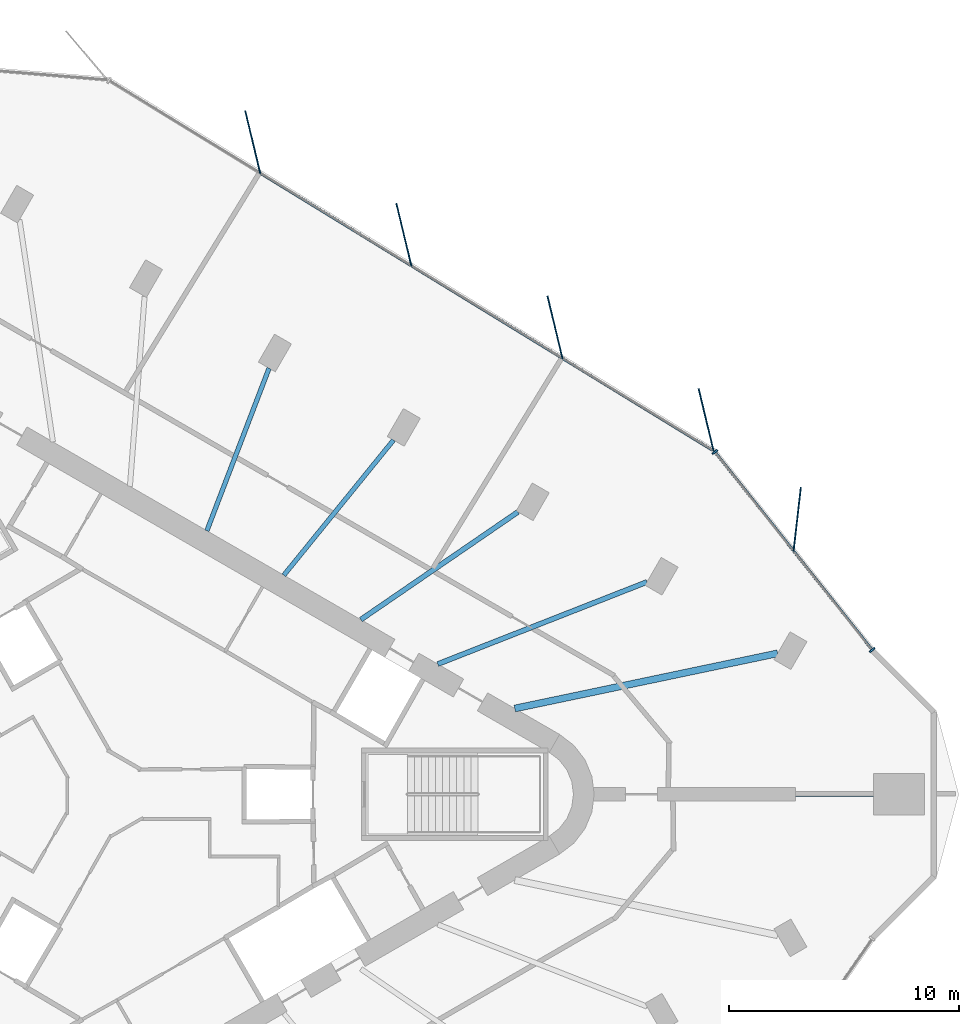
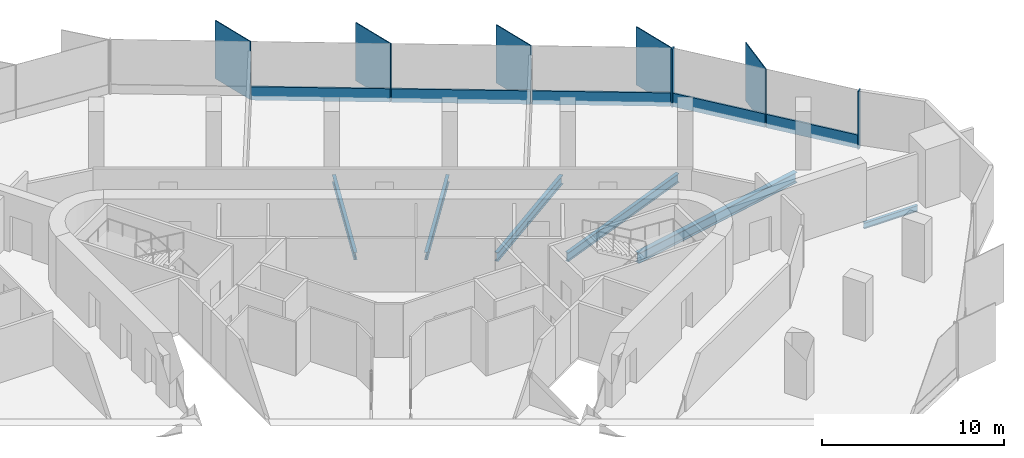
# One storey, part 5 of 13: 12 members, 6 beams, 2 elements without a shape of their own.
"""IFC4 building model written with IfcOpenShell, lengths in metres."""

from ifc_helpers import new_model, si_unit, direction, frame, origin, origin_2d, place, context, subcontext, project, spatial, rectangle, i_section, extrude, material, material_profile, profile_set, type_object, element, aggregate, save


model = new_model("IFC4")

# Units and contexts
model_context = context("Model", 3, precision=1e-05, world=origin(), true_north=direction((0.0, 1.0)))
body_context = subcontext(model_context, "Body", "Model", "MODEL_VIEW")
ifc_project = project(units=[si_unit("LENGTHUNIT", "METRE"), si_unit("AREAUNIT", "SQUARE_METRE"), si_unit("VOLUMEUNIT", "CUBIC_METRE"), si_unit("PLANEANGLEUNIT", "RADIAN"), si_unit("MASSUNIT", "GRAM", prefix="KILO")], contexts=[model_context])

# Site, building, storey
site_placement = place(None, origin())
site = spatial("IfcSite", under=ifc_project, at=site_placement, CompositionType="ELEMENT")
building_placement = place(site_placement, origin())
building = spatial("IfcBuilding", under=site, at=building_placement, Name="Tanit Gate Tower", CompositionType="ELEMENT")
storey_placement = place(building_placement, frame((0.0, 0.0, 326.0)))
storey = spatial("IfcBuildingStorey", under=building, at=storey_placement, Name="L73", CompositionType="ELEMENT", Elevation=326.0)

# Curtain wall, member
ifc_material_1 = material(Name="Aluminium bronze anodised and glass", Category="aluminium")
curtain_wall_type = type_object("IfcCurtainWallType", Name="Curtain wall typical high", PredefinedType="NOTDEFINED", material=ifc_material_1)
curtain_wall_1_placement = place(storey_placement, origin())
curtain_wall_1 = element("IfcCurtainWall", 1, at=curtain_wall_1_placement, inside=storey, type_object=curtain_wall_type, Name="Curtain wall L73 NE1", PredefinedType="NOTDEFINED")
ifc_material_2 = material(Name="Aluminium bronze anodised", Category="aluminium")
ifc_material_profile_1 = material_profile(ifc_material_2, rectangle(XDim=2.800048828125, YDim=0.055908203125, at=origin_2d()), Name="56x2800 bronze fin mullion")
ifc_profile_set_1 = profile_set([ifc_material_profile_1], Name="Aluminium bronze anodised")
member_type_1 = type_object("IfcMemberType", Name="FIN MULLION 56x2800 bronze", PredefinedType="MULLION", material=ifc_profile_set_1)
member_1_placement = place(storey_placement, frame((30.015869140625, 11.937255859375, -0.300048828125), z_axis=(0.0, 0.0, 1.0), x_axis=(-0.113810678884, -0.993502455645, 0.0)))
member_1 = element("IfcMember", 2, at=member_1_placement, type_object=member_type_1, Name="Fin mullion L73 NE1.2", PredefinedType="MULLION", context=body_context, shape_type="SweptSolid", body=[
    extrude(rectangle(XDim=2.800048828125, YDim=0.055908203125, at=origin_2d()), origin(), (0.0, 0.0, 1.0), 3.900146484375),
])

# Curtain wall, members
curtain_wall_2_placement = place(storey_placement, origin())
curtain_wall_2 = element("IfcCurtainWall", 3, at=curtain_wall_2_placement, inside=storey, type_object=curtain_wall_type, Name="Curtain wall L73 NE2", PredefinedType="NOTDEFINED")
member_2_placement = place(storey_placement, frame((26.061767578125, 16.259521484375, -0.300048828125), z_axis=(0.0, 0.0, 1.0), x_axis=(0.23355666729, -0.97234319207, 0.0)))
member_2 = element("IfcMember", 4, at=member_2_placement, type_object=member_type_1, Name="Fin mullion L73 NE2.1", PredefinedType="MULLION", context=body_context, shape_type="SweptSolid", body=[
    extrude(rectangle(XDim=2.800048828125, YDim=0.055908203125, at=origin_2d()), origin(), (0.0, 0.0, 1.0), 3.900146484375),
])
member_3_placement = place(storey_placement, frame((19.498046875, 20.28076171875, -0.300048828125), z_axis=(0.0, 0.0, 1.0), x_axis=(0.23355666729, -0.97234319207, 0.0)))
member_3 = element("IfcMember", 5, at=member_3_placement, type_object=member_type_1, Name="Fin mullion L73 NE2.2", PredefinedType="MULLION", context=body_context, shape_type="SweptSolid", body=[
    extrude(rectangle(XDim=2.800048828125, YDim=0.055908203125, at=origin_2d()), origin(), (0.0, 0.0, 1.0), 3.900146484375),
])
member_4_placement = place(storey_placement, frame((12.934326171875, 24.302001953125, -0.300048828125), z_axis=(0.0, 0.0, 1.0), x_axis=(0.23355666729, -0.97234319207, 0.0)))
member_4 = element("IfcMember", 6, at=member_4_placement, type_object=member_type_1, Name="Fin mullion L73 NE2.3", PredefinedType="MULLION", context=body_context, shape_type="SweptSolid", body=[
    extrude(rectangle(XDim=2.800048828125, YDim=0.055908203125, at=origin_2d()), origin(), (0.0, 0.0, 1.0), 3.900146484375),
])
member_5_placement = place(storey_placement, frame((6.37060546875, 28.3232421875, -0.300048828125), z_axis=(0.0, 0.0, 1.0), x_axis=(0.23355666729, -0.97234319207, 0.0)))
member_5 = element("IfcMember", 7, at=member_5_placement, type_object=member_type_1, Name="Fin mullion L73 NE2.4", PredefinedType="MULLION", context=body_context, shape_type="SweptSolid", body=[
    extrude(rectangle(XDim=2.800048828125, YDim=0.055908203125, at=origin_2d()), origin(), (0.0, 0.0, 1.0), 3.900146484375),
])

# Member
ifc_material_3 = material(Name="Aluminium bronze anodised", Category="aluminium")
ifc_material_profile_2 = material_profile(ifc_material_3, rectangle(XDim=0.280029296875, YDim=0.080078125, at=origin_2d()), Name="80x280 bronze mullion")
ifc_profile_set_2 = profile_set([ifc_material_profile_2], Name="Aluminium bronze anodised")
member_type_2 = type_object("IfcMemberType", Name="Mullion 80x280 typical high", PredefinedType="MULLION", material=ifc_profile_set_2)
member_6_placement = place(storey_placement, frame((33.2744140625, 6.2666015625, -0.300048828125), z_axis=(0.0, 0.0, 1.0), x_axis=(-0.782988626322, -0.622036020701, 0.0)))
member_6 = element("IfcMember", 8, at=member_6_placement, type_object=member_type_2, Name="Mullion L73 NE1.1", PredefinedType="MULLION", context=body_context, shape_type="SweptSolid", body=[
    extrude(rectangle(XDim=0.280029296875, YDim=0.080078125, at=origin_2d()), origin(), (0.0, 0.0, 1.0), 3.900146484375),
])

member_7_placement = place(storey_placement, frame((26.443115234375, 14.865478515625, -0.300048828125), z_axis=(0.0, 0.0, 1.0), x_axis=(-0.782988626322, -0.622036020701, 0.0)))
member_7 = element("IfcMember", 9, at=member_7_placement, type_object=member_type_2, Name="Mullion L73 NE1.3", PredefinedType="MULLION", context=body_context, shape_type="SweptSolid", body=[
    extrude(rectangle(XDim=0.280029296875, YDim=0.080078125, at=origin_2d()), origin(), (0.0, 0.0, 1.0), 3.900146484375),
])

# Beams
ifc_material_4 = material(Name="Steel S355", Category="steel")
ifc_material_profile_3 = material_profile(ifc_material_4, i_section(OverallWidth=0.300048828125, OverallDepth=0.68994140625, WebThickness=0.014404296875, FlangeThickness=0.027099609375, FilletRadius=0.027099609375, at=origin_2d()), Name="HEA 700")
ifc_profile_set_3 = profile_set([ifc_material_profile_3], Name="Steel S355")
beam_type_1 = type_object("IfcBeamType", Name="RADIAL GIRDER HEA 700 S355", PredefinedType="BEAM", material=ifc_profile_set_3)
beam_1_placement = place(storey_placement, frame((29.166015625, 6.119873046875, -0.64501953125), z_axis=(-0.978685947047, -0.205362647655, 0.0), x_axis=(0.205362647655, -0.978685947047, 0.0)))
element("IfcBeam", 10, at=beam_1_placement, inside=storey, type_object=beam_type_1, Name="RADIAL GIRDER", PredefinedType="BEAM", context=body_context, shape_type="SweptSolid", body=[
    extrude(i_section(OverallWidth=0.300048828125, OverallDepth=0.68994140625, WebThickness=0.014404296875, FlangeThickness=0.027099609375, FilletRadius=0.027099609375, at=origin_2d()), origin(), (0.0, 0.0, 1.0), 11.662353515625),
])
ifc_material_5 = material(Name="Steel S355", Category="steel")
ifc_material_profile_4 = material_profile(ifc_material_5, i_section(OverallWidth=0.179931640625, OverallDepth=0.39990234375, WebThickness=0.008544921875, FlangeThickness=0.013427734375, FilletRadius=0.02099609375, at=origin_2d()), Name="IPE 400")
ifc_profile_set_4 = profile_set([ifc_material_profile_4], Name="Steel S355")
beam_type_2 = type_object("IfcBeamType", Name="RADIAL GIRDER IPE 400 S355", PredefinedType="BEAM", material=ifc_profile_set_4)
beam_2_placement = place(storey_placement, frame((33.3349609375, 0.0, -0.5), z_axis=(-1.0, 0.0, 0.0), x_axis=(0.0, -1.0, 0.0)))
element("IfcBeam", 11, at=beam_2_placement, inside=storey, type_object=beam_type_2, Name="RADIAL GIRDER", PredefinedType="BEAM", context=body_context, shape_type="SweptSolid", body=[
    extrude(i_section(OverallWidth=0.179931640625, OverallDepth=0.39990234375, WebThickness=0.008544921875, FlangeThickness=0.013427734375, FilletRadius=0.02099609375, at=origin_2d()), origin(), (0.0, 0.0, 1.0), 3.397705078125),
])
ifc_material_6 = material(Name="Steel S355", Category="steel")
ifc_material_profile_5 = material_profile(ifc_material_6, i_section(OverallWidth=0.199951171875, OverallDepth=0.5, WebThickness=0.01025390625, FlangeThickness=0.01611328125, FilletRadius=0.02099609375, at=origin_2d()), Name="IPE 500")
ifc_profile_set_5 = profile_set([ifc_material_profile_5], Name="Steel S355")
beam_type_3 = type_object("IfcBeamType", Name="RADIAL GIRDER IPE 500 S355", PredefinedType="BEAM", material=ifc_profile_set_5)
for number, where, z_axis, x_axis, name in (
    (12, (12.484130859375, 15.38232421875, -0.550048828125), (-0.630160700976, -0.776464739023, 0.0), (0.776464739023, -0.630160700976, 0.0), "RADIAL GIRDER"),
    (13, (7.07958984375, 18.502685546875, -0.550048828125), (-0.357365465254, -0.93396462687, 0.0), (0.93396462687, -0.357365465254, 0.0), "RADIAL GIRDER"),
):
    element("IfcBeam", number, at=place(storey_placement, frame(where, z_axis=z_axis, x_axis=x_axis)), inside=storey, type_object=beam_type_3, Name=name, PredefinedType="BEAM", context=body_context, shape_type="SweptSolid", body=[
        extrude(i_section(OverallWidth=0.199951171875, OverallDepth=0.5, WebThickness=0.01025390625, FlangeThickness=0.01611328125, FilletRadius=0.02099609375, at=origin_2d()), origin(), (0.0, 0.0, 1.0), 7.555908203125),
    ])
ifc_material_7 = material(Name="Steel S355", Category="steel")
ifc_material_profile_6 = material_profile(ifc_material_7, i_section(OverallWidth=0.219970703125, OverallDepth=0.60009765625, WebThickness=0.011962890625, FlangeThickness=0.01904296875, FilletRadius=0.02392578125, at=origin_2d()), Name="IPE 600")
ifc_profile_set_6 = profile_set([ifc_material_profile_6], Name="Steel S355")
beam_type_4 = type_object("IfcBeamType", Name="RADIAL GIRDER IPE 600 S355", PredefinedType="BEAM", material=ifc_profile_set_6)
beam_3_placement = place(storey_placement, frame((23.4921875, 9.219970703125, -0.60009765625), z_axis=(-0.930869443065, -0.365351994614, 0.0), x_axis=(0.365351994614, -0.930869443065, 0.0)))
element("IfcBeam", 14, at=beam_3_placement, inside=storey, type_object=beam_type_4, Name="RADIAL GIRDER", PredefinedType="BEAM", context=body_context, shape_type="SweptSolid", body=[
    extrude(i_section(OverallWidth=0.219970703125, OverallDepth=0.60009765625, WebThickness=0.011962890625, FlangeThickness=0.01904296875, FilletRadius=0.02392578125, at=origin_2d()), origin(), (0.0, 0.0, 1.0), 9.757568359375),
])
beam_4_placement = place(storey_placement, frame((17.888671875, 12.26220703125, -0.60009765625), z_axis=(-0.824811044423, -0.565408472698, 0.0), x_axis=(0.565408472698, -0.824811044423, 0.0)))
element("IfcBeam", 15, at=beam_4_placement, inside=storey, type_object=beam_type_4, Name="RADIAL GIRDER", PredefinedType="BEAM", context=body_context, shape_type="SweptSolid", body=[
    extrude(i_section(OverallWidth=0.219970703125, OverallDepth=0.60009765625, WebThickness=0.011962890625, FlangeThickness=0.01904296875, FilletRadius=0.02392578125, at=origin_2d()), origin(), (0.0, 0.0, 1.0), 8.27197265625),
])

# Member
ifc_material_8 = material(Name="Aluminium bronze anodised", Category="aluminium")
ifc_material_profile_7 = material_profile(ifc_material_8, rectangle(XDim=0.1201171875, YDim=0.89990234375, at=origin_2d()), Name="120x900 bronze transom")
ifc_profile_set_7 = profile_set([ifc_material_profile_7], Name="Aluminium bronze anodised")
member_type_3 = type_object("IfcMemberType", Name="Transom 120x900 typical high", PredefinedType="USERDEFINED", material=ifc_profile_set_7)
member_8_placement = place(storey_placement, frame((33.24951171875, 6.2978515625, 0.14990234375), z_axis=(-0.622044890855, 0.782981579452, 0.0), x_axis=(-0.782981579452, -0.622044890855, 0.0)))
member_8 = element("IfcMember", 16, at=member_8_placement, type_object=member_type_3, Name="Transom L73 NE1.1", ObjectType="TRANSOM", PredefinedType="USERDEFINED", context=body_context, shape_type="SweptSolid", body=[
    extrude(rectangle(XDim=0.1201171875, YDim=0.89990234375, at=origin_2d()), origin(), (0.0, 0.0, 1.0), 5.4111328125),
])

member_9_placement = place(storey_placement, frame((29.833740234375, 10.59716796875, 0.14990234375), z_axis=(-0.622017229508, 0.783003554395, 0.0), x_axis=(-0.783003554395, -0.622017229508, 0.0)))
member_9 = element("IfcMember", 17, at=member_9_placement, type_object=member_type_3, Name="Transom L73 NE1.2", ObjectType="TRANSOM", PredefinedType="USERDEFINED", context=body_context, shape_type="SweptSolid", body=[
    extrude(rectangle(XDim=0.1201171875, YDim=0.89990234375, at=origin_2d()), origin(), (0.0, 0.0, 1.0), 5.410888671875),
])

aggregate(curtain_wall_1, [member_6, member_1, member_7, member_8, member_9])

member_10_placement = place(storey_placement, frame((26.35009765625, 14.9384765625, 0.14990234375), z_axis=(-0.852699808999, 0.522401221029, 0.0), x_axis=(-0.522401221029, -0.852699808999, 0.0)))
member_10 = element("IfcMember", 18, at=member_10_placement, type_object=member_type_3, Name="Transom L73 NE2.1", ObjectType="TRANSOM", PredefinedType="USERDEFINED", context=body_context, shape_type="SweptSolid", body=[
    extrude(rectangle(XDim=0.1201171875, YDim=0.89990234375, at=origin_2d()), origin(), (0.0, 0.0, 1.0), 7.61767578125),
])

member_11_placement = place(storey_placement, frame((19.786376953125, 18.959716796875, 0.14990234375), z_axis=(-0.852699808999, 0.522401221029, 0.0), x_axis=(-0.522401221029, -0.852699808999, 0.0)))
member_11 = element("IfcMember", 19, at=member_11_placement, type_object=member_type_3, Name="Transom L73 NE2.2", ObjectType="TRANSOM", PredefinedType="USERDEFINED", context=body_context, shape_type="SweptSolid", body=[
    extrude(rectangle(XDim=0.1201171875, YDim=0.89990234375, at=origin_2d()), origin(), (0.0, 0.0, 1.0), 7.61767578125),
])

member_12_placement = place(storey_placement, frame((13.222412109375, 22.98095703125, 0.14990234375), z_axis=(-0.852691062329, 0.522415497687, 0.0), x_axis=(-0.522415497687, -0.852691062329, 0.0)))
member_12 = element("IfcMember", 20, at=member_12_placement, type_object=member_type_3, Name="Transom L73 NE2.3", ObjectType="TRANSOM", PredefinedType="USERDEFINED", context=body_context, shape_type="SweptSolid", body=[
    extrude(rectangle(XDim=0.1201171875, YDim=0.89990234375, at=origin_2d()), origin(), (0.0, 0.0, 1.0), 7.617431640625),
])

aggregate(curtain_wall_2, [member_2, member_3, member_4, member_5, member_10, member_11, member_12])

save(model, "model.ifc")
